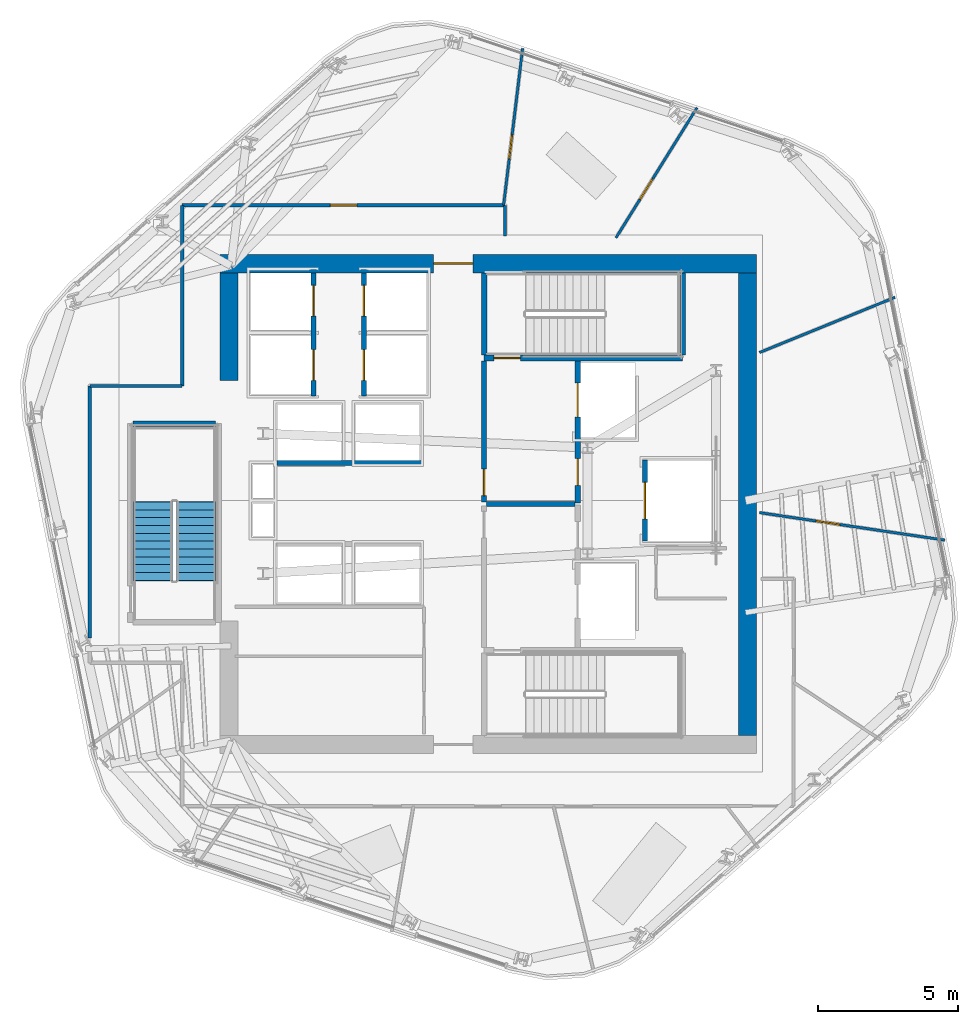
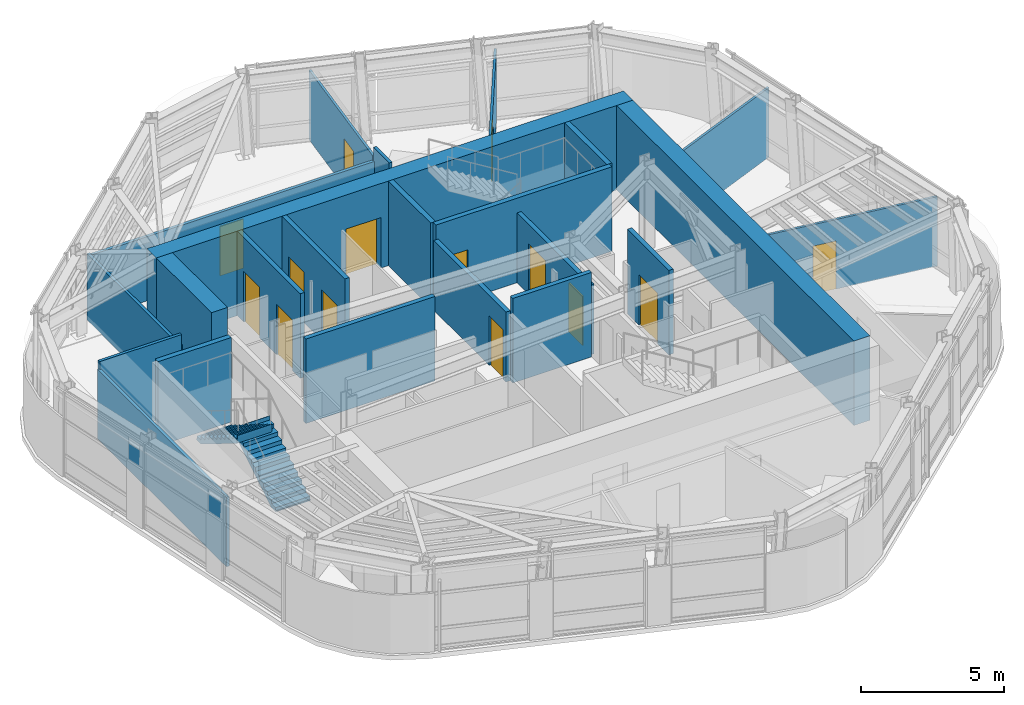
# One storey, part 9 of 15: 23 walls, 14 doors, 2 stair flights, 14 openings, 1 element without a shape of its own.
"""IFC4 building model written with IfcOpenShell, lengths in metres."""

from ifc_helpers import new_model, si_unit, direction, frame, frame_2d, origin, place, context, subcontext, project, spatial, polyline, rectangle, outline, extrude, material, layer, layer_set, type_object, element, fill, aggregate, save


model = new_model("IFC4")

# Units and contexts
model_context = context("Model", 3, precision=1e-05, world=origin(), true_north=direction((0.0, 1.0)))
body_context = subcontext(model_context, "Body", "Model", "MODEL_VIEW")
ifc_project = project(units=[si_unit("LENGTHUNIT", "METRE"), si_unit("AREAUNIT", "SQUARE_METRE"), si_unit("VOLUMEUNIT", "CUBIC_METRE"), si_unit("PLANEANGLEUNIT", "RADIAN"), si_unit("MASSUNIT", "GRAM", prefix="KILO")], contexts=[model_context])

# Site, building, storey
site_placement = place(None, origin())
site = spatial("IfcSite", under=ifc_project, at=site_placement, CompositionType="ELEMENT")
building_placement = place(site_placement, origin())
building = spatial("IfcBuilding", under=site, at=building_placement, Name="Valkerne Bourse Tower", CompositionType="ELEMENT")
storey_placement = place(building_placement, frame((0.0, 0.0, 201.800048828125)))
storey = spatial("IfcBuildingStorey", under=building, at=storey_placement, Name="L51", CompositionType="ELEMENT", Elevation=201.800048828125)

# Wall, opening, door
ifc_material_1 = material(Name="Concrete C55/67", Category="concrete")
ifc_layer_1 = layer(ifc_material_1, 0.64990234375)
ifc_layer_set_1 = layer_set([ifc_layer_1], Name="Concrete C55/67")
wall_type_1 = type_object("IfcWallType", Name="W-CORE-650", PredefinedType="SHEAR", material=ifc_layer_set_1)
wall_1_placement = place(storey_placement, frame((37.199951171875, 35.47509765625, 0.0), z_axis=(0.0, 0.0, 1.0), x_axis=(1.0, 0.0, 0.0)))
wall_1 = element("IfcWall", 1, at=wall_1_placement, inside=storey, type_object=wall_type_1, Name="L51 Core Shear Wall NORTH", PredefinedType="SHEAR", context=body_context, shape_type="SweptSolid", body=[
    extrude(rectangle(XDim=19.199951171875, YDim=0.64990234375, at=frame_2d((9.60009765625, 0.0))), origin(), (0.0, 0.0, 1.0), 3.599853515625),
])
opening_1_placement = place(wall_1_placement, frame((7.64990234375, 0.0, 0.0)))
opening_1 = element("IfcOpeningElement", 2, at=opening_1_placement, cuts=wall_1, Name="Opening D-PL-1400", PredefinedType="OPENING", context=body_context, shape_type="SweptSolid", body=[
    extrude(rectangle(XDim=1.39990234375, YDim=2.14990234375, at=frame_2d((0.699951171875, 1.074951171875))), frame((0.0, 0.3349609375, 0.0), z_axis=(0.0, -1.0, 0.0), x_axis=(1.0, 0.0, 0.0)), (0.0, 0.0, 1.0), 0.669921875),
])
ifc_material_2 = material(Name="Galvanised Painted Steel", Category="steel")
door_type_1 = type_object("IfcDoorType", Name="DR-PLT-1400", OperationType="DOUBLE_DOOR_SINGLE_SWING", PredefinedType="DOOR", material=ifc_material_2)
door_1_placement = place(opening_1_placement, origin())
door_1 = element("IfcDoor", 3, at=door_1_placement, inside=storey, type_object=door_type_1, Name="L51 North Passenger Lift Hall Fire Door", OperationType="DOUBLE_DOOR_SINGLE_SWING", OverallHeight=2.14990234375, OverallWidth=1.39990234375, PredefinedType="DOOR", context=body_context, shape_type="SweptSolid", body=[
    extrude(rectangle(XDim=1.39990234375, YDim=2.14990234375, at=frame_2d((0.699951171875, 1.074951171875))), frame((0.0, 0.02490234375, 0.0), z_axis=(0.0, -1.0, 0.0), x_axis=(1.0, 0.0, 0.0)), (0.0, 0.0, 1.0), 0.050048828125),
])
fill(opening_1, door_1)

# Walls
wall_2_placement = place(storey_placement, frame((56.074951171875, 18.60009765625, 0.0), z_axis=(0.0, 0.0, 1.0), x_axis=(0.0, 1.0, 0.0)))
element("IfcWall", 4, at=wall_2_placement, inside=storey, type_object=wall_type_1, Name="L51 Core Shear Wall EAST", PredefinedType="SHEAR", context=body_context, shape_type="SweptSolid", body=[
    extrude(rectangle(XDim=16.5498046875, YDim=0.64990234375, at=frame_2d((8.27490234375, 0.0))), origin(), (0.0, 0.0, 1.0), 3.599853515625),
])
wall_3_placement = place(storey_placement, frame((37.52490234375, 31.300048828125, 0.0), z_axis=(0.0, 0.0, 1.0), x_axis=(0.0, 1.0, 0.0)))
element("IfcWall", 5, at=wall_3_placement, inside=storey, type_object=wall_type_1, Name="L51 Core Shear Wall WEST-N", PredefinedType="SHEAR", context=body_context, shape_type="SweptSolid", body=[
    extrude(rectangle(XDim=3.849853515625, YDim=0.64990234375, at=frame_2d((1.9248046875, 0.0))), origin(), (0.0, 0.0, 1.0), 3.599853515625),
])
ifc_material_3 = material(Name="Gypsum Board Steel-Stud Partition", Category="steel")
ifc_layer_2 = layer(ifc_material_3, 0.117919921875)
ifc_layer_set_2 = layer_set([ifc_layer_2], Name="Gypsum Board Steel-Stud Partition")
wall_type_2 = type_object("IfcWallType", Name="W-CORR-140", PredefinedType="PARTITIONING", material=ifc_layer_set_2)
wall_4_placement = place(storey_placement, frame((32.550048828125, 22.093994140625, 0.0), z_axis=(0.0, 0.0, 1.0), x_axis=(0.0, 1.0, 0.0)))
element("IfcWall", 6, at=wall_4_placement, inside=storey, type_object=wall_type_2, Name="L51 Corridor Enclosure Wall", PredefinedType="PARTITIONING", context=body_context, shape_type="SweptSolid", body=[
    extrude(rectangle(XDim=9.006103515625, YDim=0.117919921875, at=frame_2d((4.5029296875, 0.0))), origin(), (0.0, 0.0, 1.0), 2.962646484375),
])
wall_5_placement = place(storey_placement, frame((32.550048828125, 31.10009765625, 0.0), z_axis=(0.0, 0.0, 1.0), x_axis=(1.0, 0.0, 0.0)))
element("IfcWall", 7, at=wall_5_placement, inside=storey, type_object=wall_type_2, Name="L51 Corridor Enclosure Wall", PredefinedType="PARTITIONING", context=body_context, shape_type="SweptSolid", body=[
    extrude(rectangle(XDim=3.300048828125, YDim=0.117919921875, at=frame_2d((1.64990234375, 0.0))), origin(), (0.0, 0.0, 1.0), 3.300048828125),
])
wall_6_placement = place(storey_placement, frame((35.85009765625, 31.10009765625, 0.0), z_axis=(0.0, 0.0, 1.0), x_axis=(0.0, 1.0, 0.0)))
element("IfcWall", 8, at=wall_6_placement, inside=storey, type_object=wall_type_2, Name="L51 Corridor Enclosure Wall", PredefinedType="PARTITIONING", context=body_context, shape_type="SweptSolid", body=[
    extrude(rectangle(XDim=6.4599609375, YDim=0.117919921875, at=frame_2d((3.22998046875, 0.0))), origin(), (0.0, 0.0, 1.0), 2.8203125),
])

# Wall, opening, door
wall_7_placement = place(storey_placement, frame((35.85009765625, 37.56005859375, 0.0), z_axis=(0.0, 0.0, 1.0), x_axis=(1.0, 0.0, 0.0)))
wall_7 = element("IfcWall", 9, at=wall_7_placement, inside=storey, type_object=wall_type_2, Name="L51 Corridor Enclosure Wall", PredefinedType="PARTITIONING", context=body_context, shape_type="SweptSolid", body=[
    extrude(rectangle(XDim=11.5498046875, YDim=0.117919921875, at=frame_2d((5.77490234375, 0.0))), origin(), (0.0, 0.0, 1.0), 2.7314453125),
])
opening_2_placement = place(wall_7_placement, frame((5.300048828125, 0.0, 0.0)))
opening_2 = element("IfcOpeningElement", 10, at=opening_2_placement, cuts=wall_7, Name="Opening D-OF-950", PredefinedType="OPENING", context=body_context, shape_type="SweptSolid", body=[
    extrude(rectangle(XDim=0.949951171875, YDim=2.10009765625, at=frame_2d((0.47509765625, 1.050048828125))), frame((0.0, 0.06884765625, 0.0), z_axis=(0.0, -1.0, 0.0), x_axis=(1.0, 0.0, 0.0)), (0.0, 0.0, 1.0), 0.137939453125),
])
ifc_material_4 = material(Name="Architectural White Oak Timber", Category="wood")
door_type_2 = type_object("IfcDoorType", Name="DR-OFF-950", OperationType="NOTDEFINED", PredefinedType="DOOR", material=ifc_material_4)
door_2_placement = place(opening_2_placement, origin())
door_2 = element("IfcDoor", 11, at=door_2_placement, inside=storey, type_object=door_type_2, Name="L51 L51 Hospitality Catering Kitchen 10 Door", OperationType="SINGLE_SWING_RIGHT", OverallHeight=2.10009765625, OverallWidth=0.949951171875, PredefinedType="DOOR", context=body_context, shape_type="SweptSolid", body=[
    extrude(rectangle(XDim=0.949951171875, YDim=2.10009765625, at=frame_2d((0.47509765625, 1.050048828125))), frame((0.0, 0.02490234375, 0.0), z_axis=(0.0, -1.0, 0.0), x_axis=(1.0, 0.0, 0.0)), (0.0, 0.0, 1.0), 0.050048828125),
])
fill(opening_2, door_2)

# Walls
wall_8_placement = place(storey_placement, frame((47.39990234375, 37.56005859375, 0.0), z_axis=(0.0, 0.0, 1.0), x_axis=(0.0, -1.0, 0.0)))
element("IfcWall", 12, at=wall_8_placement, inside=storey, type_object=wall_type_2, Name="L51 Corridor Enclosure Wall", PredefinedType="PARTITIONING", context=body_context, shape_type="SweptSolid", body=[
    extrude(rectangle(XDim=1.10009765625, YDim=0.117919921875, at=frame_2d((0.550048828125, 0.0))), origin(), (0.0, 0.0, 1.0), 3.300048828125),
])
ifc_material_5 = material(Name="Gypsum Fire-Rated Shaftwall", Category="gypsum")
ifc_layer_3 = layer(ifc_material_5, 0.179931640625)
ifc_layer_set_3 = layer_set([ifc_layer_3], Name="Gypsum Fire-Rated Shaftwall")
wall_type_3 = type_object("IfcWallType", Name="W-FSAE-180", PredefinedType="PARTITIONING", material=ifc_layer_set_3)
wall_9_placement = place(storey_placement, frame((46.739990234375, 26.8798828125, 0.0), z_axis=(0.0, 0.0, 1.0), x_axis=(1.0, 0.0, 0.0)))
element("IfcWall", 13, at=wall_9_placement, inside=storey, type_object=wall_type_3, Name="L51 FSAE-1/2 Lobby Dividing Fire Wall", PredefinedType="PARTITIONING", context=body_context, shape_type="SweptSolid", body=[
    extrude(rectangle(XDim=3.169921875, YDim=0.179931640625, at=frame_2d((1.5849609375, 0.0))), origin(), (0.0, 0.0, 1.0), 3.599853515625),
])

# Wall, opening, door
wall_10_placement = place(storey_placement, frame((46.64990234375, 26.9599609375, 0.0), z_axis=(0.0, 0.0, 1.0), x_axis=(0.0, 1.0, 0.0)))
wall_10 = element("IfcWall", 14, at=wall_10_placement, inside=storey, type_object=wall_type_3, Name="L51 FSAE-2 Lobby West Fire Wall", PredefinedType="PARTITIONING", context=body_context, shape_type="SweptSolid", body=[
    extrude(rectangle(XDim=5.0400390625, YDim=0.179931640625, at=frame_2d((2.52001953125, 0.0))), origin(), (0.0, 0.0, 1.0), 2.97802734375),
])
opening_3_placement = place(wall_10_placement, frame((0.219970703125, 0.0, 0.0)))
opening_3 = element("IfcOpeningElement", 15, at=opening_3_placement, cuts=wall_10, Name="Opening D-FS-950", PredefinedType="OPENING", context=body_context, shape_type="SweptSolid", body=[
    extrude(rectangle(XDim=0.949951171875, YDim=2.10009765625, at=frame_2d((0.47509765625, 1.050048828125))), frame((0.0, 0.099853515625, 0.0), z_axis=(0.0, -1.0, 0.0), x_axis=(1.0, 0.0, 0.0)), (0.0, 0.0, 1.0), 0.199951171875),
])
door_type_3 = type_object("IfcDoorType", Name="DR-FSAE-950", OperationType="NOTDEFINED", PredefinedType="DOOR", material=ifc_material_2)
door_3_placement = place(opening_3_placement, origin())
door_3 = element("IfcDoor", 16, at=door_3_placement, inside=storey, type_object=door_type_3, Name="L51 FSAE-2 Hall Link Fire Door", OperationType="SINGLE_SWING_RIGHT", OverallHeight=2.10009765625, OverallWidth=0.949951171875, PredefinedType="DOOR", context=body_context, shape_type="SweptSolid", body=[
    extrude(rectangle(XDim=0.949951171875, YDim=2.10009765625, at=frame_2d((0.47509765625, 1.050048828125))), frame((0.0, 0.02490234375, 0.0), z_axis=(0.0, -1.0, 0.0), x_axis=(1.0, 0.0, 0.0)), (0.0, 0.0, 1.0), 0.050048828125),
])
fill(opening_3, door_3)

# Wall, openings, doors
wall_11_placement = place(storey_placement, frame((50.0, 26.919921875, 0.0), z_axis=(0.0, 0.0, 1.0), x_axis=(0.0, 1.0, 0.0)))
wall_11 = element("IfcWall", 17, at=wall_11_placement, inside=storey, type_object=wall_type_3, Name="L51 FSAE-2 Lobby & Shaft Front Wall", PredefinedType="PARTITIONING", context=body_context, shape_type="SweptSolid", body=[
    extrude(rectangle(XDim=5.080078125, YDim=0.179931640625, at=frame_2d((2.5400390625, 0.0))), origin(), (0.0, 0.0, 1.0), 2.97802734375),
])
opening_4_placement = place(wall_11_placement, frame((3.080078125, 0.0, 0.0)))
opening_4 = element("IfcOpeningElement", 18, at=opening_4_placement, cuts=wall_11, Name="Opening LD-1200", PredefinedType="OPENING", context=body_context, shape_type="SweptSolid", body=[
    extrude(rectangle(XDim=1.199951171875, YDim=2.14990234375, at=frame_2d((0.60009765625, 1.074951171875))), frame((0.0, 0.099853515625, 0.0), z_axis=(0.0, -1.0, 0.0), x_axis=(1.0, 0.0, 0.0)), (0.0, 0.0, 1.0), 0.199951171875),
])
opening_5_placement = place(wall_11_placement, frame((0.6298828125, 0.0, 0.0)))
opening_5 = element("IfcOpeningElement", 19, at=opening_5_placement, cuts=wall_11, Name="Opening D-FS-950", PredefinedType="OPENING", context=body_context, shape_type="SweptSolid", body=[
    extrude(rectangle(XDim=0.949951171875, YDim=2.10009765625, at=frame_2d((0.47509765625, 1.050048828125))), frame((0.0, 0.099853515625, 0.0), z_axis=(0.0, -1.0, 0.0), x_axis=(1.0, 0.0, 0.0)), (0.0, 0.0, 1.0), 0.199951171875),
])
door_4_placement = place(opening_5_placement, origin())
door_4 = element("IfcDoor", 20, at=door_4_placement, inside=storey, type_object=door_type_3, Name="L51 FSAE-2 Lobby Corridor Fire Door", OperationType="SINGLE_SWING_RIGHT", OverallHeight=2.10009765625, OverallWidth=0.949951171875, PredefinedType="DOOR", context=body_context, shape_type="SweptSolid", body=[
    extrude(rectangle(XDim=0.949951171875, YDim=2.10009765625, at=frame_2d((0.47509765625, 1.050048828125))), frame((0.0, 0.02490234375, 0.0), z_axis=(0.0, -1.0, 0.0), x_axis=(1.0, 0.0, 0.0)), (0.0, 0.0, 1.0), 0.050048828125),
])
fill(opening_5, door_4)
ifc_material_6 = material(Name="Stainless Steel AISI 316", Category="steel")
door_type_4 = type_object("IfcDoorType", Name="DR-LIFT-1200", OperationType="DOUBLE_DOOR_SLIDING", PredefinedType="DOOR", material=ifc_material_6)
door_5_placement = place(opening_4_placement, origin())
door_5 = element("IfcDoor", 21, at=door_5_placement, inside=storey, type_object=door_type_4, Name="L51 FSAE-2 Firefighting Lift Landing Door", OperationType="DOUBLE_DOOR_SLIDING", OverallHeight=2.14990234375, OverallWidth=1.199951171875, PredefinedType="DOOR", context=body_context, shape_type="SweptSolid", body=[
    extrude(rectangle(XDim=1.199951171875, YDim=2.14990234375, at=frame_2d((0.60009765625, 1.074951171875))), frame((0.0, 0.02490234375, 0.0), z_axis=(0.0, -1.0, 0.0), x_axis=(1.0, 0.0, 0.0)), (0.0, 0.0, 1.0), 0.050048828125),
])
fill(opening_4, door_5)

# Wall, opening, door
ifc_material_7 = material(Name="CMU Blockwork Masonry 200mm", Category="masonry")
ifc_layer_4 = layer(ifc_material_7, 0.179931640625)
ifc_layer_set_4 = layer_set([ifc_layer_4], Name="CMU Blockwork Masonry 200mm")
wall_type_4 = type_object("IfcWallType", Name="W-LFT-180", PredefinedType="SOLIDWALL", material=ifc_layer_set_4)
wall_12_placement = place(storey_placement, frame((52.39990234375, 25.550048828125, 0.0), z_axis=(0.0, 0.0, 1.0), x_axis=(0.0, 1.0, 0.0)))
wall_12 = element("IfcWall", 22, at=wall_12_placement, inside=storey, type_object=wall_type_4, Name="L51 Service Lift SV-1 Front Wall", PredefinedType="SOLIDWALL", context=body_context, shape_type="SweptSolid", body=[
    extrude(rectangle(XDim=2.89990234375, YDim=0.179931640625, at=frame_2d((1.449951171875, 0.0))), origin(), (0.0, 0.0, 1.0), 3.599853515625),
])
opening_6_placement = place(wall_12_placement, frame((0.800048828125, 0.0, 0.0)))
opening_6 = element("IfcOpeningElement", 23, at=opening_6_placement, cuts=wall_12, Name="Opening LD-1300", PredefinedType="OPENING", context=body_context, shape_type="SweptSolid", body=[
    extrude(rectangle(XDim=1.300048828125, YDim=2.14990234375, at=frame_2d((0.64990234375, 1.074951171875))), frame((0.0, 0.099853515625, 0.0), z_axis=(0.0, -1.0, 0.0), x_axis=(1.0, 0.0, 0.0)), (0.0, 0.0, 1.0), 0.199951171875),
])
door_type_5 = type_object("IfcDoorType", Name="DR-LIFT-1300", OperationType="DOUBLE_DOOR_SLIDING", PredefinedType="DOOR", material=ifc_material_6)
door_6_placement = place(opening_6_placement, origin())
door_6 = element("IfcDoor", 24, at=door_6_placement, inside=storey, type_object=door_type_5, Name="L51 Service Lift SV-1 Landing Door", OperationType="DOUBLE_DOOR_SLIDING", OverallHeight=2.14990234375, OverallWidth=1.300048828125, PredefinedType="DOOR", context=body_context, shape_type="SweptSolid", body=[
    extrude(rectangle(XDim=1.300048828125, YDim=2.14990234375, at=frame_2d((0.64990234375, 1.074951171875))), frame((0.0, 0.02490234375, 0.0), z_axis=(0.0, -1.0, 0.0), x_axis=(1.0, 0.0, 0.0)), (0.0, 0.0, 1.0), 0.050048828125),
])
fill(opening_6, door_6)

# Wall, openings, doors
wall_13_placement = place(storey_placement, frame((40.550048828125, 30.75, 0.0), z_axis=(0.0, 0.0, 1.0), x_axis=(0.0, 1.0, 0.0)))
wall_13 = element("IfcWall", 25, at=wall_13_placement, inside=storey, type_object=wall_type_4, Name="L51 Mid-Zone West Cars Front Wall", PredefinedType="SOLIDWALL", context=body_context, shape_type="SweptSolid", body=[
    extrude(rectangle(XDim=4.39990234375, YDim=0.179931640625, at=frame_2d((2.199951171875, 0.0))), origin(), (0.0, 0.0, 1.0), 3.599853515625),
])
opening_7_placement = place(wall_13_placement, frame((0.550048828125, 0.0, 0.0)))
opening_7 = element("IfcOpeningElement", 26, at=opening_7_placement, cuts=wall_13, Name="Opening LD-1100", PredefinedType="OPENING", context=body_context, shape_type="SweptSolid", body=[
    extrude(rectangle(XDim=1.10009765625, YDim=2.14990234375, at=frame_2d((0.550048828125, 1.074951171875))), frame((0.0, 0.099853515625, 0.0), z_axis=(0.0, -1.0, 0.0), x_axis=(1.0, 0.0, 0.0)), (0.0, 0.0, 1.0), 0.199951171875),
])
opening_8_placement = place(wall_13_placement, frame((2.85009765625, 0.0, 0.0)))
opening_8 = element("IfcOpeningElement", 27, at=opening_8_placement, cuts=wall_13, Name="Opening LD-1100", PredefinedType="OPENING", context=body_context, shape_type="SweptSolid", body=[
    extrude(rectangle(XDim=1.10009765625, YDim=2.14990234375, at=frame_2d((0.550048828125, 1.074951171875))), frame((0.0, 0.099853515625, 0.0), z_axis=(0.0, -1.0, 0.0), x_axis=(1.0, 0.0, 0.0)), (0.0, 0.0, 1.0), 0.199951171875),
])
door_type_6 = type_object("IfcDoorType", Name="DR-LIFT-1100", OperationType="DOUBLE_DOOR_SLIDING", PredefinedType="DOOR", material=ifc_material_6)
door_7_placement = place(opening_7_placement, origin())
door_7 = element("IfcDoor", 28, at=door_7_placement, inside=storey, type_object=door_type_6, Name="L51 Passenger Lift PL-M1 Sliding Landing Door", OperationType="DOUBLE_DOOR_SLIDING", OverallHeight=2.14990234375, OverallWidth=1.10009765625, PredefinedType="DOOR", context=body_context, shape_type="SweptSolid", body=[
    extrude(rectangle(XDim=1.10009765625, YDim=2.14990234375, at=frame_2d((0.550048828125, 1.074951171875))), frame((0.0, 0.02490234375, 0.0), z_axis=(0.0, -1.0, 0.0), x_axis=(1.0, 0.0, 0.0)), (0.0, 0.0, 1.0), 0.050048828125),
])
fill(opening_7, door_7)
door_8_placement = place(opening_8_placement, origin())
door_8 = element("IfcDoor", 29, at=door_8_placement, inside=storey, type_object=door_type_6, Name="L51 Passenger Lift PL-M2 Sliding Landing Door", OperationType="DOUBLE_DOOR_SLIDING", OverallHeight=2.14990234375, OverallWidth=1.10009765625, PredefinedType="DOOR", context=body_context, shape_type="SweptSolid", body=[
    extrude(rectangle(XDim=1.10009765625, YDim=2.14990234375, at=frame_2d((0.550048828125, 1.074951171875))), frame((0.0, 0.02490234375, 0.0), z_axis=(0.0, -1.0, 0.0), x_axis=(1.0, 0.0, 0.0)), (0.0, 0.0, 1.0), 0.050048828125),
])
fill(opening_8, door_8)

wall_14_placement = place(storey_placement, frame((42.35009765625, 30.75, 0.0), z_axis=(0.0, 0.0, 1.0), x_axis=(0.0, 1.0, 0.0)))
wall_14 = element("IfcWall", 30, at=wall_14_placement, inside=storey, type_object=wall_type_4, Name="L51 Mid-Zone East Cars Front Wall", PredefinedType="SOLIDWALL", context=body_context, shape_type="SweptSolid", body=[
    extrude(rectangle(XDim=4.39990234375, YDim=0.179931640625, at=frame_2d((2.199951171875, 0.0))), origin(), (0.0, 0.0, 1.0), 3.599853515625),
])
opening_9_placement = place(wall_14_placement, frame((0.550048828125, 0.0, 0.0)))
opening_9 = element("IfcOpeningElement", 31, at=opening_9_placement, cuts=wall_14, Name="Opening LD-1100", PredefinedType="OPENING", context=body_context, shape_type="SweptSolid", body=[
    extrude(rectangle(XDim=1.10009765625, YDim=2.14990234375, at=frame_2d((0.550048828125, 1.074951171875))), frame((0.0, 0.099853515625, 0.0), z_axis=(0.0, -1.0, 0.0), x_axis=(1.0, 0.0, 0.0)), (0.0, 0.0, 1.0), 0.199951171875),
])
opening_10_placement = place(wall_14_placement, frame((2.85009765625, 0.0, 0.0)))
opening_10 = element("IfcOpeningElement", 32, at=opening_10_placement, cuts=wall_14, Name="Opening LD-1100", PredefinedType="OPENING", context=body_context, shape_type="SweptSolid", body=[
    extrude(rectangle(XDim=1.10009765625, YDim=2.14990234375, at=frame_2d((0.550048828125, 1.074951171875))), frame((0.0, 0.099853515625, 0.0), z_axis=(0.0, -1.0, 0.0), x_axis=(1.0, 0.0, 0.0)), (0.0, 0.0, 1.0), 0.199951171875),
])
door_9_placement = place(opening_9_placement, origin())
door_9 = element("IfcDoor", 33, at=door_9_placement, inside=storey, type_object=door_type_6, Name="L51 Passenger Lift PL-M3 Sliding Landing Door", OperationType="DOUBLE_DOOR_SLIDING", OverallHeight=2.14990234375, OverallWidth=1.10009765625, PredefinedType="DOOR", context=body_context, shape_type="SweptSolid", body=[
    extrude(rectangle(XDim=1.10009765625, YDim=2.14990234375, at=frame_2d((0.550048828125, 1.074951171875))), frame((0.0, 0.02490234375, 0.0), z_axis=(0.0, -1.0, 0.0), x_axis=(1.0, 0.0, 0.0)), (0.0, 0.0, 1.0), 0.050048828125),
])
fill(opening_9, door_9)
door_10_placement = place(opening_10_placement, origin())
door_10 = element("IfcDoor", 34, at=door_10_placement, inside=storey, type_object=door_type_6, Name="L51 Passenger Lift PL-M4 Sliding Landing Door", OperationType="DOUBLE_DOOR_SLIDING", OverallHeight=2.14990234375, OverallWidth=1.10009765625, PredefinedType="DOOR", context=body_context, shape_type="SweptSolid", body=[
    extrude(rectangle(XDim=1.10009765625, YDim=2.14990234375, at=frame_2d((0.550048828125, 1.074951171875))), frame((0.0, 0.02490234375, 0.0), z_axis=(0.0, -1.0, 0.0), x_axis=(1.0, 0.0, 0.0)), (0.0, 0.0, 1.0), 0.050048828125),
])
fill(opening_10, door_10)

# Wall
wall_15_placement = place(storey_placement, frame((39.25, 28.35009765625, 0.0), z_axis=(0.0, 0.0, 1.0), x_axis=(1.0, 0.0, 0.0)))
element("IfcWall", 35, at=wall_15_placement, inside=storey, type_object=wall_type_4, Name="L51 High-Zone North Cars Front Wall", PredefinedType="SOLIDWALL", context=body_context, shape_type="SweptSolid", body=[
    extrude(rectangle(XDim=5.199951171875, YDim=0.179931640625, at=frame_2d((2.60009765625, 0.0))), origin(), (0.0, 0.0, 1.0), 3.599853515625),
])

# Wall, opening, door
ifc_layer_5 = layer(ifc_material_3, 0.092041015625)
ifc_layer_set_5 = layer_set([ifc_layer_5], Name="Gypsum Board Steel-Stud Partition")
wall_type_5 = type_object("IfcWallType", Name="W-PART-115", PredefinedType="PARTITIONING", material=ifc_layer_set_5)
wall_16_placement = place(storey_placement, frame((56.5, 26.5712890625, 0.0), z_axis=(0.0, 0.0, 1.0), x_axis=(0.989162344407, -0.146825939151, 0.0)))
wall_16 = element("IfcWall", 36, at=wall_16_placement, inside=storey, type_object=wall_type_5, Name="L51 Suite Partition P05", PredefinedType="PARTITIONING", context=body_context, shape_type="SweptSolid", body=[
    extrude(rectangle(XDim=6.700927734375, YDim=0.092041015625, at=frame_2d((3.3505859375, 0.0))), origin(), (0.0, 0.0, 1.0), 2.962646484375),
])
opening_11_placement = place(wall_16_placement, frame((2.04443359375, 0.0, 0.0)))
opening_11 = element("IfcOpeningElement", 37, at=opening_11_placement, cuts=wall_16, Name="Opening D-WC-900", PredefinedType="OPENING", context=body_context, shape_type="SweptSolid", body=[
    extrude(rectangle(XDim=0.860107421875, YDim=2.050048828125, at=frame_2d((0.43017578125, 1.02490234375))), frame((0.0, 0.055908203125, 0.0), z_axis=(0.0, -1.0, 0.0), x_axis=(1.0, 0.0, 0.0)), (0.0, 0.0, 1.0), 0.112060546875),
])
door_type_7 = type_object("IfcDoorType", Name="DR-WC-900", OperationType="NOTDEFINED", PredefinedType="DOOR", material=ifc_material_4)
door_11_placement = place(opening_11_placement, origin())
door_11 = element("IfcDoor", 38, at=door_11_placement, inside=storey, type_object=door_type_7, Name="L51 L51 Hospitality Catering Kitchen 8 Suite Door", OperationType="SINGLE_SWING_RIGHT", OverallHeight=2.050048828125, OverallWidth=0.860107421875, PredefinedType="DOOR", context=body_context, shape_type="SweptSolid", body=[
    extrude(rectangle(XDim=0.860107421875, YDim=2.050048828125, at=frame_2d((0.43017578125, 1.02490234375))), frame((0.0, 0.02490234375, 0.0), z_axis=(0.0, -1.0, 0.0), x_axis=(1.0, 0.0, 0.0)), (0.0, 0.0, 1.0), 0.050048828125),
])
fill(opening_11, door_11)

# Wall
wall_17_placement = place(storey_placement, frame((56.5, 32.297119140625, 0.0), z_axis=(0.0, 0.0, 1.0), x_axis=(0.926077268964, 0.377333926261, 0.0)))
element("IfcWall", 39, at=wall_17_placement, inside=storey, type_object=wall_type_5, Name="L51 Suite Partition P06", PredefinedType="PARTITIONING", context=body_context, shape_type="SweptSolid", body=[
    extrude(rectangle(XDim=5.234375, YDim=0.092041015625, at=frame_2d((2.6171875, 0.0))), origin(), (0.0, 0.0, 1.0), 2.962646484375),
])

# Wall, opening, door
wall_18_placement = place(storey_placement, frame((51.36767578125, 36.39990234375, 0.0), z_axis=(0.0, 0.0, 1.0), x_axis=(0.528545742881, 0.848904822511, 0.0)))
wall_18 = element("IfcWall", 40, at=wall_18_placement, inside=storey, type_object=wall_type_5, Name="L51 Suite Partition P07", PredefinedType="PARTITIONING", context=body_context, shape_type="SweptSolid", body=[
    extrude(rectangle(XDim=5.484619140625, YDim=0.092041015625, at=frame_2d((2.7421875, 0.0))), origin(), (0.0, 0.0, 1.0), 2.962646484375),
])
opening_12_placement = place(wall_18_placement, frame((1.61865234375, 0.0, 0.0)))
opening_12 = element("IfcOpeningElement", 41, at=opening_12_placement, cuts=wall_18, Name="Opening D-WC-900", PredefinedType="OPENING", context=body_context, shape_type="SweptSolid", body=[
    extrude(rectangle(XDim=0.860107421875, YDim=2.050048828125, at=frame_2d((0.43017578125, 1.02490234375))), frame((0.0, 0.055908203125, 0.0), z_axis=(0.0, -1.0, 0.0), x_axis=(1.0, 0.0, 0.0)), (0.0, 0.0, 1.0), 0.112060546875),
])
door_12_placement = place(opening_12_placement, origin())
door_12 = element("IfcDoor", 42, at=door_12_placement, inside=storey, type_object=door_type_7, Name="L51 L51 Hospitality Catering Kitchen 9 Suite Door", OperationType="SINGLE_SWING_RIGHT", OverallHeight=2.050048828125, OverallWidth=0.860107421875, PredefinedType="DOOR", context=body_context, shape_type="SweptSolid", body=[
    extrude(rectangle(XDim=0.860107421875, YDim=2.050048828125, at=frame_2d((0.43017578125, 1.02490234375))), frame((0.0, 0.02490234375, 0.0), z_axis=(0.0, -1.0, 0.0), x_axis=(1.0, 0.0, 0.0)), (0.0, 0.0, 1.0), 0.050048828125),
])
fill(opening_12, door_12)

wall_19_placement = place(storey_placement, frame((47.34814453125, 37.56494140625, 0.0), z_axis=(0.0, 0.0, 1.0), x_axis=(0.120425500535, 0.992722367443, 0.0)))
wall_19 = element("IfcWall", 43, at=wall_19_placement, inside=storey, type_object=wall_type_5, Name="L51 Suite Partition P08", PredefinedType="PARTITIONING", context=body_context, shape_type="SweptSolid", body=[
    extrude(rectangle(XDim=5.654296875, YDim=0.092041015625, at=frame_2d((2.8271484375, 0.0))), origin(), (0.0, 0.0, 1.0), 2.962646484375),
])
opening_13_placement = place(wall_19_placement, frame((1.677978515625, 0.0, 0.0)))
opening_13 = element("IfcOpeningElement", 44, at=opening_13_placement, cuts=wall_19, Name="Opening D-WC-900", PredefinedType="OPENING", context=body_context, shape_type="SweptSolid", body=[
    extrude(rectangle(XDim=0.860107421875, YDim=2.050048828125, at=frame_2d((0.43017578125, 1.02490234375))), frame((0.0, 0.055908203125, 0.0), z_axis=(0.0, -1.0, 0.0), x_axis=(1.0, 0.0, 0.0)), (0.0, 0.0, 1.0), 0.112060546875),
])
door_13_placement = place(opening_13_placement, origin())
door_13 = element("IfcDoor", 45, at=door_13_placement, inside=storey, type_object=door_type_7, Name="L51 L51 VIP Client Concierge Reception 7 Suite Door", OperationType="SINGLE_SWING_RIGHT", OverallHeight=2.050048828125, OverallWidth=0.860107421875, PredefinedType="DOOR", context=body_context, shape_type="SweptSolid", body=[
    extrude(rectangle(XDim=0.860107421875, YDim=2.050048828125, at=frame_2d((0.43017578125, 1.02490234375))), frame((0.0, 0.02490234375, 0.0), z_axis=(0.0, -1.0, 0.0), x_axis=(1.0, 0.0, 0.0)), (0.0, 0.0, 1.0), 0.050048828125),
])
fill(opening_13, door_13)

ifc_material_8 = material(Name="Concrete C40/50", Category="concrete")
ifc_layer_6 = layer(ifc_material_8, 0.199951171875)
ifc_layer_set_6 = layer_set([ifc_layer_6], Name="Concrete C40/50")
wall_type_6 = type_object("IfcWallType", Name="W-SHF-200", PredefinedType="SHEAR", material=ifc_layer_set_6)
wall_20_placement = place(storey_placement, frame((46.64990234375, 32.10009765625, 0.0), z_axis=(0.0, 0.0, 1.0), x_axis=(1.0, 0.0, 0.0)))
wall_20 = element("IfcWall", 46, at=wall_20_placement, inside=storey, type_object=wall_type_6, Name="L51 Exit Stair ST-2 Structural Shaft Wall South", PredefinedType="SHEAR", context=body_context, shape_type="SweptSolid", body=[
    extrude(rectangle(XDim=7.10009765625, YDim=0.199951171875, at=frame_2d((3.550048828125, 0.0))), origin(), (0.0, 0.0, 1.0), 3.599853515625),
])
opening_14_placement = place(wall_20_placement, frame((0.35009765625, 0.0, 0.0)))
opening_14 = element("IfcOpeningElement", 47, at=opening_14_placement, cuts=wall_20, Name="Opening D-ST-950", PredefinedType="OPENING", context=body_context, shape_type="SweptSolid", body=[
    extrude(rectangle(XDim=0.949951171875, YDim=2.10009765625, at=frame_2d((0.47509765625, 1.050048828125))), frame((0.0, 0.10986328125, 0.0), z_axis=(0.0, -1.0, 0.0), x_axis=(1.0, 0.0, 0.0)), (0.0, 0.0, 1.0), 0.219970703125),
])
door_type_8 = type_object("IfcDoorType", Name="DR-STAIR-950", OperationType="NOTDEFINED", PredefinedType="DOOR", material=ifc_material_2)
door_14_placement = place(opening_14_placement, origin())
door_14 = element("IfcDoor", 48, at=door_14_placement, inside=storey, type_object=door_type_8, Name="L51 Exit Stair ST-2 Door", OperationType="SINGLE_SWING_RIGHT", OverallHeight=2.10009765625, OverallWidth=0.949951171875, PredefinedType="DOOR", context=body_context, shape_type="SweptSolid", body=[
    extrude(rectangle(XDim=0.949951171875, YDim=2.10009765625, at=frame_2d((0.47509765625, 1.050048828125))), frame((0.0, 0.02490234375, 0.0), z_axis=(0.0, -1.0, 0.0), x_axis=(1.0, 0.0, 0.0)), (0.0, 0.0, 1.0), 0.050048828125),
])
fill(opening_14, door_14)

# Walls
for number, where, z_axis, x_axis, name in (
    (49, (46.64990234375, 32.199951171875, 0.0), (0.0, 0.0, 1.0), (0.0, 1.0, 0.0), "L51 Exit Stair ST-2 Structural Shaft Wall West"),
    (50, (53.75, 32.199951171875, 0.0), (0.0, 0.0, 1.0), (0.0, 1.0, 0.0), "L51 Exit Stair ST-2 Structural Shaft Wall East"),
    (51, (34.10009765625, 29.75, 0.0), (0.0, 0.0, 1.0), (1.0, 0.0, 0.0), "L51 Exit Stair ST-3 Structural Shaft Wall North"),
):
    element("IfcWall", number, at=place(storey_placement, frame(where, z_axis=z_axis, x_axis=x_axis)), inside=storey, type_object=wall_type_6, Name=name, PredefinedType="SHEAR", context=body_context, shape_type="SweptSolid", body=[
        extrude(rectangle(XDim=2.949951171875, YDim=0.199951171875, at=frame_2d((1.47509765625, 0.0))), origin(), (0.0, 0.0, 1.0), 3.599853515625),
    ])

# Stair, stair flights
stair_type = type_object("IfcStairType", Name="ST-CORE-1400", PredefinedType="HALF_TURN_STAIR", material=ifc_material_8)
stair_placement = place(storey_placement, origin())
stair = element("IfcStair", 52, at=stair_placement, inside=storey, type_object=stair_type, Name="L51 ST-3", PredefinedType="HALF_TURN_STAIR")
stair_flight_type = type_object("IfcStairFlightType", Name="STF-CORE-1400", PredefinedType="STRAIGHT", material=ifc_material_8)
stair_flight_1_placement = place(storey_placement, frame((36.35009765625, 24.14990234375, 0.0), z_axis=(0.0, 0.0, 1.0), x_axis=(0.0, 1.0, 0.0)))
stair_flight_1 = element("IfcStairFlight", 53, at=stair_flight_1_placement, type_object=stair_flight_type, Name="ST-3 flight 1", NumberOfRisers=11, NumberOfTreads=10, PredefinedType="STRAIGHT", RiserHeight=0.172727273, TreadLength=0.28, context=body_context, shape_type="SweptSolid", body=[
    extrude(outline(polyline([(-0.02001953125, 0.0), (-0.02001953125, 0.044921875), (0.0, 0.044921875), (0.0, 0.172607421875), (0.280029296875, 0.172607421875), (0.280029296875, 0.345458984375), (0.56005859375, 0.345458984375), (0.56005859375, 0.51806640625), (0.840087890625, 0.51806640625), (0.840087890625, 0.69091796875), (1.1201171875, 0.69091796875), (1.1201171875, 0.863525390625), (1.39990234375, 0.863525390625), (1.39990234375, 1.036376953125), (1.679931640625, 1.036376953125), (1.679931640625, 1.208984375), (1.9599609375, 1.208984375), (1.9599609375, 1.3818359375), (2.239990234375, 1.3818359375), (2.239990234375, 1.554443359375), (2.52001953125, 1.554443359375), (2.52001953125, 1.727294921875), (2.800048828125, 1.727294921875), (2.800048828125, 1.89990234375), (2.820068359375, 1.89990234375), (2.820068359375, 1.780029296875), (2.800048828125, 1.551025390625), (0.285400390625, 0.0), (-0.02001953125, 0.0)])), frame((0.0, 0.699951171875, 0.0), z_axis=(0.0, -1.0, 0.0), x_axis=(1.0, 0.0, 0.0)), (0.0, 0.0, 1.0), 1.39990234375),
])
stair_flight_2_placement = place(storey_placement, frame((34.800048828125, 26.949951171875, 1.89990234375), z_axis=(0.0, 0.0, 1.0), x_axis=(0.0, -1.0, 0.0)))
stair_flight_2 = element("IfcStairFlight", 54, at=stair_flight_2_placement, type_object=stair_flight_type, Name="ST-3 flight 2", NumberOfRisers=11, NumberOfTreads=10, PredefinedType="STRAIGHT", RiserHeight=0.172727273, TreadLength=0.28, context=body_context, shape_type="SweptSolid", body=[
    extrude(outline(polyline([(-0.02001953125, 0.0), (-0.02001953125, 0.044921875), (0.0, 0.044921875), (0.0, 0.172607421875), (0.280029296875, 0.172607421875), (0.280029296875, 0.345458984375), (0.56005859375, 0.345458984375), (0.56005859375, 0.51806640625), (0.840087890625, 0.51806640625), (0.840087890625, 0.69091796875), (1.1201171875, 0.69091796875), (1.1201171875, 0.863525390625), (1.39990234375, 0.863525390625), (1.39990234375, 1.036376953125), (1.679931640625, 1.036376953125), (1.679931640625, 1.208984375), (1.9599609375, 1.208984375), (1.9599609375, 1.3818359375), (2.239990234375, 1.3818359375), (2.239990234375, 1.554443359375), (2.52001953125, 1.554443359375), (2.52001953125, 1.727294921875), (2.800048828125, 1.727294921875), (2.800048828125, 1.89990234375), (2.820068359375, 1.89990234375), (2.820068359375, 1.780029296875), (2.800048828125, 1.551025390625), (0.285400390625, 0.0), (-0.02001953125, 0.0)])), frame((0.0, 0.699951171875, 0.0), z_axis=(0.0, -1.0, 0.0), x_axis=(1.0, 0.0, 0.0)), (0.0, 0.0, 1.0), 1.39990234375),
])
aggregate(stair, [stair_flight_1, stair_flight_2])

save(model, "model.ifc")
